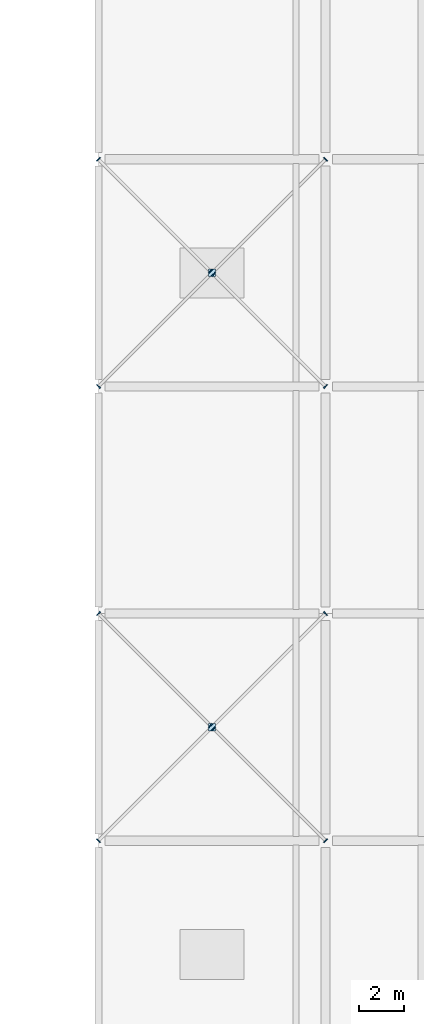
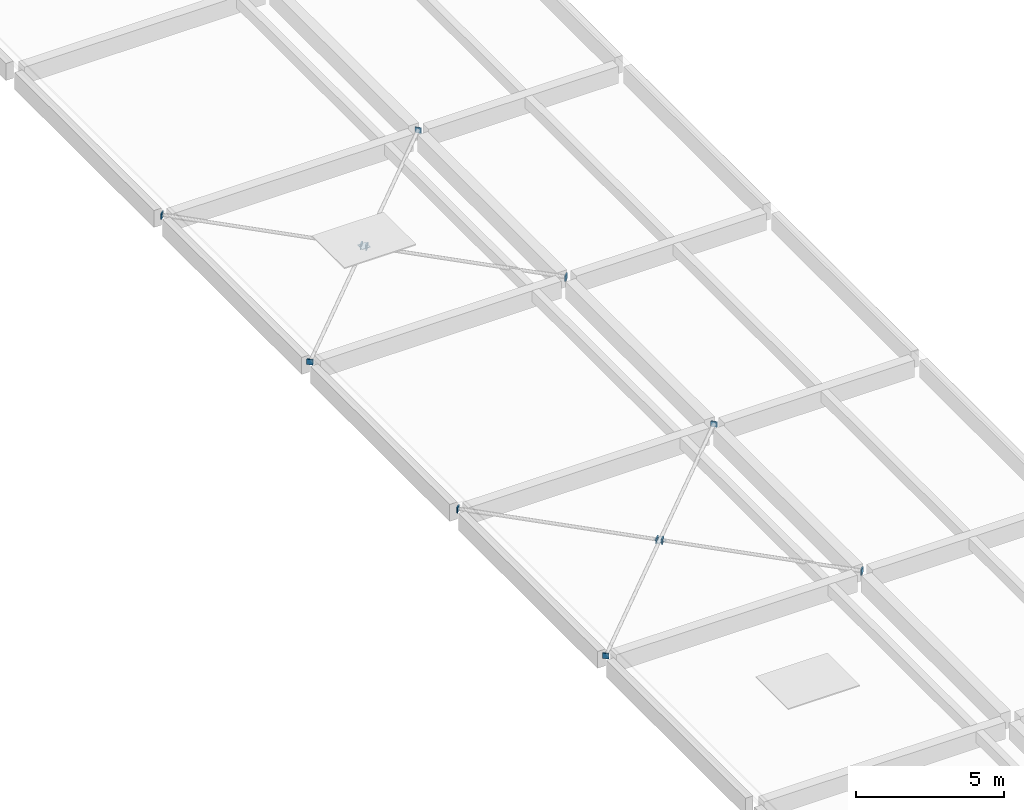
# One storey, part 9 of 15: 14 plates.
"""IFC4 building model written with IfcOpenShell, lengths in metres."""

from ifc_helpers import new_model, si_unit, direction, frame, origin, origin_2d, place, context, subcontext, project, spatial, rectangle, extrude, material, layer, layer_set, type_object, element, save


model = new_model("IFC4")

# Units and contexts
model_context = context("Model", 3, precision=1e-05, world=origin(), true_north=direction((0.0, 1.0)))
body_context = subcontext(model_context, "Body", "Model", "MODEL_VIEW")
ifc_project = project(units=[si_unit("LENGTHUNIT", "METRE"), si_unit("AREAUNIT", "SQUARE_METRE"), si_unit("VOLUMEUNIT", "CUBIC_METRE"), si_unit("PLANEANGLEUNIT", "RADIAN"), si_unit("MASSUNIT", "GRAM", prefix="KILO")], contexts=[model_context])

# Site, building, storey
site_placement = place(None, origin())
site = spatial("IfcSite", under=ifc_project, at=site_placement, CompositionType="ELEMENT")
building_placement = place(site_placement, origin())
building = spatial("IfcBuilding", under=site, at=building_placement, Name="Corvandel Quay Wholesale Market", CompositionType="ELEMENT")
storey_placement = place(building_placement, frame((0.0, 0.0, 19.199951171875)))
storey = spatial("IfcBuildingStorey", under=building, at=storey_placement, Name="RF", CompositionType="ELEMENT", Elevation=19.199951171875)

# Plates
ifc_material = material(Name="Steel A572 Grade 50", Category="steel")
ifc_layer_1 = layer(ifc_material, 0.044921875)
ifc_layer_set_1 = layer_set([ifc_layer_1], Name="Steel A572 Grade 50")
plate_type_1 = type_object("IfcPlateType", Name="Steel Brace End Cap Plate PLT02 45mm", PredefinedType="SHEET", material=ifc_layer_set_1)
for number, where, z_axis, x_axis, name in (
    (1, (220.00146484375, 40.00146484375, -0.35986328125), (0.0, 0.0, 1.0), (-0.707106781187, 0.707106781187, 0.0), "HSS Cap Plate PLT-0170"),
    (2, (229.99853515625, 49.99853515625, -0.35986328125), (0.0, 0.0, 1.0), (-0.707106781187, 0.707106781187, 0.0), "HSS Cap Plate PLT-0171"),
    (3, (229.99853515625, 40.00146484375, -0.35986328125), (0.0, 0.0, 1.0), (0.707106781187, 0.707106781187, 0.0), "HSS Cap Plate PLT-0173"),
    (4, (225.068603515625, 44.931396484375, -0.35986328125), (0.0, 0.0, 1.0), (0.707106781187, 0.707106781187, 0.0), "HSS Cap Plate PLT-0174"),
    (5, (224.931396484375, 45.068603515625, -0.35986328125), (0.0, 0.0, 1.0), (0.707106781187, 0.707106781187, 0.0), "HSS Cap Plate PLT-0175"),
    (6, (220.00146484375, 49.99853515625, -0.35986328125), (0.0, 0.0, 1.0), (0.707106781187, 0.707106781187, 0.0), "HSS Cap Plate PLT-0176"),
    (7, (220.00146484375, 60.00146484375, -0.35986328125), (0.0, 0.0, 1.0), (-0.707106781187, 0.707106781187, 0.0), "HSS Cap Plate PLT-0177"),
    (8, (229.99853515625, 69.99853515625, -0.35986328125), (0.0, 0.0, 1.0), (-0.707106781187, 0.707106781187, 0.0), "HSS Cap Plate PLT-0178"),
    (9, (229.99853515625, 60.00146484375, -0.35986328125), (0.0, 0.0, 1.0), (0.707106781187, 0.707106781187, 0.0), "HSS Cap Plate PLT-0180"),
    (10, (225.068603515625, 64.931396484375, -0.35986328125), (0.0, 0.0, 1.0), (0.707106781187, 0.707106781187, 0.0), "HSS Cap Plate PLT-0181"),
    (11, (224.931396484375, 65.068603515625, -0.35986328125), (0.0, 0.0, 1.0), (0.707106781187, 0.707106781187, 0.0), "HSS Cap Plate PLT-0182"),
    (12, (220.00146484375, 69.99853515625, -0.35986328125), (0.0, 0.0, 1.0), (0.707106781187, 0.707106781187, 0.0), "HSS Cap Plate PLT-0183"),
):
    element("IfcPlate", number, at=place(storey_placement, frame(where, z_axis=z_axis, x_axis=x_axis)), inside=storey, type_object=plate_type_1, Name=name, PredefinedType="SHEET", context=body_context, shape_type="SweptSolid", body=[
        extrude(rectangle(XDim=0.219970703125, YDim=0.044921875, at=origin_2d()), origin(), (0.0, 0.0, 1.0), 0.219970703125),
    ])
ifc_layer_2 = layer(ifc_material, 0.02001953125)
ifc_layer_set_2 = layer_set([ifc_layer_2], Name="Steel A572 Grade 50")
plate_type_2 = type_object("IfcPlateType", Name="Steel HSS End Cap Plate PLT01 20mm", PredefinedType="SHEET", material=ifc_layer_set_2)
for number, where, z_axis, x_axis, name in (
    (13, (225.0, 45.0, -0.260009765625), (0.0, 0.0, 1.0), (1.0, 0.0, 0.0), "X-Brace Node Gusset PLT-0172"),
    (14, (225.0, 65.0, -0.260009765625), (0.0, 0.0, 1.0), (1.0, 0.0, 0.0), "X-Brace Node Gusset PLT-0179"),
):
    element("IfcPlate", number, at=place(storey_placement, frame(where, z_axis=z_axis, x_axis=x_axis)), inside=storey, type_object=plate_type_2, Name=name, PredefinedType="SHEET", context=body_context, shape_type="SweptSolid", body=[
        extrude(rectangle(XDim=0.320068359375, YDim=0.320068359375, at=origin_2d()), origin(), (0.0, 0.0, 1.0), 0.02001953125),
    ])

save(model, "model.ifc")
